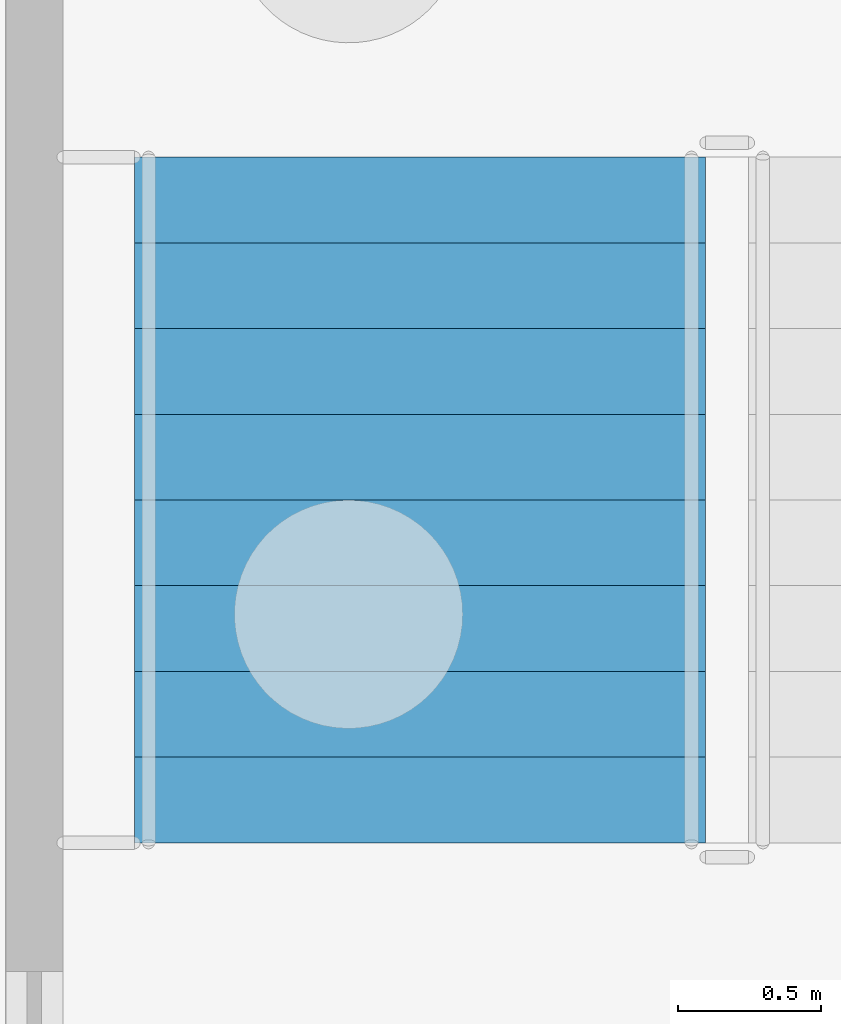
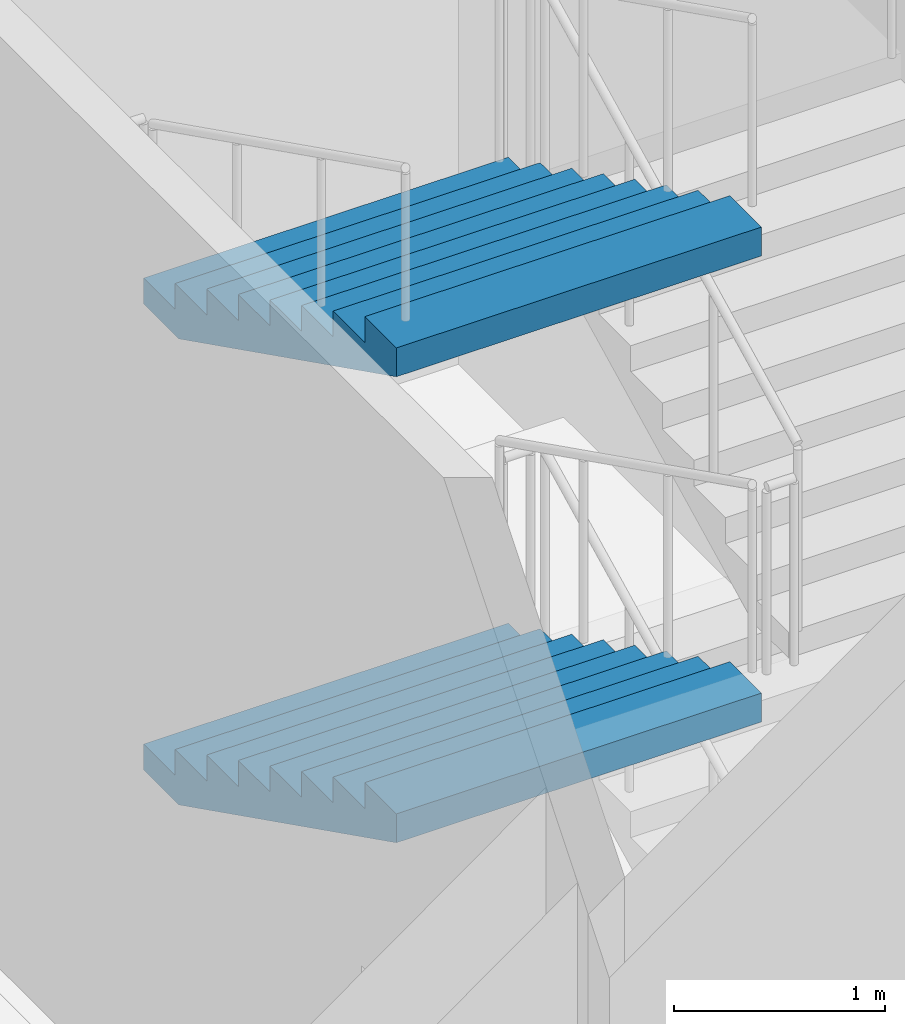
# One storey, part 82 of 129: 2 stair flights, 1 element without a shape of its own.
"""IFC4 building model written with IfcOpenShell, lengths in metres."""

import ifcopenshell
import ifcopenshell.guid

model = None  # the IFC model being written
_history = None  # IfcOwnerHistory: only IFC2X3 demands one
_inside = {}  # id of a spatial element -> (the spatial element, [elements in it])
_under = {}  # id of a project, library or spatial element -> (it, [spatial elements below it])
_declared = {}  # id of a project -> (the project, [libraries it declares])
_typed = {}  # id of a type object -> (the type object, [elements of that type])
_made_of = {}  # id of a material, layer set ... -> (it, [elements and type objects made of it])


def new_model(schema):
    """Start an empty IFC model of exactly this schema.

    Asked for "IFC4X3", IfcOpenShell would pick the latest addendum, in which some entities
    have other attributes; the version numbers below select the first issue.
    IFC2X3 requires an IfcOwnerHistory on every rooted entity: one is made here for all.
    """
    global model, _history
    if schema == "IFC4X3":
        model = ifcopenshell.file(schema_version=(4, 3, 0, 0))
    else:
        model = ifcopenshell.file(schema=schema)
    _inside.clear()
    _under.clear()
    _declared.clear()
    _typed.clear()
    _made_of.clear()
    _history = None
    if model.schema == "IFC2X3":
        org = make("IfcOrganization", Name="unknown")
        user = make(
            "IfcPersonAndOrganization",
            ThePerson=make("IfcPerson", FamilyName="unknown"),
            TheOrganization=org,
        )
        app = make(
            "IfcApplication",
            ApplicationDeveloper=org,
            Version="unknown",
            ApplicationFullName="unknown",
            ApplicationIdentifier="unknown",
        )
        _history = make(
            "IfcOwnerHistory",
            OwningUser=user,
            OwningApplication=app,
            ChangeAction="ADDED",
            CreationDate=0,
        )
    return model


def make(cls, **values):
    """One entity of the class cls with the attributes given. An attribute that is None is left unset."""
    return model.create_entity(
        cls, **{name: value for name, value in values.items() if value is not None}
    )


def rooted(cls, **values):
    """An entity with a GlobalId (a new one), such as an element, a storey or a relation."""
    return make(cls, GlobalId=ifcopenshell.guid.new(), OwnerHistory=_history, **values)


def si_unit(unit_type, name, prefix=None):
    """IfcSIUnit, for example si_unit("LENGTHUNIT", "METRE", prefix="MILLI")."""
    return make("IfcSIUnit", UnitType=unit_type, Prefix=prefix, Name=name)


def assignment(units):
    """IfcUnitAssignment: the units of a project."""
    return None if units is None else make("IfcUnitAssignment", Units=units)


def point(xyz):
    """IfcCartesianPoint."""
    return None if xyz is None else make("IfcCartesianPoint", Coordinates=xyz)


def direction(xyz):
    """IfcDirection."""
    return None if xyz is None else make("IfcDirection", DirectionRatios=xyz)


def frame(location, z_axis=None, x_axis=None):
    """IfcAxis2Placement3D, a coordinate frame: its origin and axes. An axis left out is left unset."""
    return make(
        "IfcAxis2Placement3D",
        Location=point(location),
        Axis=direction(z_axis),
        RefDirection=direction(x_axis),
    )


def origin():
    """The frame at (0, 0, 0) with its axes left unset."""
    return frame((0.0, 0.0, 0.0))


def place(relative_to, where):
    """IfcLocalPlacement: puts the frame where relative to a parent placement (None: the world)."""
    return make(
        "IfcLocalPlacement", PlacementRelTo=relative_to, RelativePlacement=where
    )


def context(
    kind, dimensions, precision=None, world=None, true_north=None, identifier=None
):
    """IfcGeometricRepresentationContext, for example the 3D "Model" context."""
    return make(
        "IfcGeometricRepresentationContext",
        ContextIdentifier=identifier,
        ContextType=kind,
        CoordinateSpaceDimension=dimensions,
        Precision=precision,
        WorldCoordinateSystem=world,
        TrueNorth=true_north,
    )


def subcontext(parent, identifier, kind, view, scale=None):
    """IfcGeometricRepresentationSubContext, for example "Body" below "Model"."""
    return make(
        "IfcGeometricRepresentationSubContext",
        ContextIdentifier=identifier,
        ContextType=kind,
        ParentContext=parent,
        TargetScale=scale,
        TargetView=view,
    )


def project(units=None, contexts=None):
    """IfcProject with its units and contexts."""
    return rooted(
        "IfcProject",
        Name="project",
        RepresentationContexts=contexts,
        UnitsInContext=assignment(units),
    )


def spatial(cls, under=None, at=None, **own):
    """A site, building, storey or space (cls), placed at a placement, below another one or the project."""
    s = rooted(cls, ObjectPlacement=at, **own)
    if under is not None:
        _under.setdefault(under.id(), (under, []))[1].append(s)
    return s


def faces_of(points, faces, orient=None, outer=None):
    """IfcFace entities. A face is a list of loops; a loop is a list of indices into points, from 0.

    orient and outer hold one flag for each loop. By default every Orientation is true, the
    first loop of a face is its IfcFaceOuterBound and the others are IfcFaceBound.
    """
    made = []
    for i, loops in enumerate(faces):
        bounds = []
        for j, loop in enumerate(loops):
            is_outer = j == 0 if outer is None else outer[i][j]
            bounds.append(
                make(
                    "IfcFaceOuterBound" if is_outer else "IfcFaceBound",
                    Bound=make("IfcPolyLoop", Polygon=[points[k] for k in loop]),
                    Orientation=True if orient is None else orient[i][j],
                )
            )
        made.append(make("IfcFace", Bounds=bounds))
    return made


def faceted_brep(points, faces, orient=None, outer=None, voids=None):
    """IfcFacetedBrep: a solid bounded by flat faces; with voids (closed shells), ...WithVoids."""
    shared = [point(p) for p in points]
    hull = make("IfcClosedShell", CfsFaces=faces_of(shared, faces, orient, outer))
    if voids is None:
        return make("IfcFacetedBrep", Outer=hull)
    return make(
        "IfcFacetedBrepWithVoids",
        Outer=hull,
        Voids=[
            make(cls, CfsFaces=faces_of(shared, fs, o, b)) for cls, fs, o, b in voids
        ],
    )


def shape(context_of_items, identifier, shape_type, items):
    """IfcShapeRepresentation: the items that make up one representation, for example the "Body"."""
    return make(
        "IfcShapeRepresentation",
        ContextOfItems=context_of_items,
        RepresentationIdentifier=identifier,
        RepresentationType=shape_type,
        Items=items,
    )


def material(Name=None, Category=None):
    """IfcMaterial."""
    return make("IfcMaterial", Name=Name, Category=Category)


def made_of(thing, what):
    """Note that an element or type object is made of a material, layer set ...; save() writes the relation."""
    if what is not None:
        _made_of.setdefault(what.id(), (what, []))[1].append(thing)
    return thing


def type_object(cls, material=None, **own):
    """A type object (cls), such as IfcWallType, which elements share."""
    return made_of(rooted(cls, **own), material)


def element(
    cls,
    number,
    at=None,
    inside=None,
    cuts=None,
    type_object=None,
    material=None,
    context=None,
    identifier="Body",
    shape_type=None,
    held_by="IfcProductDefinitionShape",
    body=None,
    shapes=None,
    **own,
):
    """One element of the class cls, such as IfcWall. Its Tag is "e" and its number.

    at: its placement. inside: the storey or other place that contains it. cuts: it is an
    opening in that element (IfcRelVoidsElement). A single representation is given by context,
    identifier, shape_type and body (its items); several are given by shapes. held_by: the class
    of the entity that holds the representations. save() writes the other relations.
    """
    e = rooted(cls, Tag="e%d" % number, ObjectPlacement=at, **own)
    if body is not None:
        shapes = [shape(context, identifier, shape_type, body)]
    if shapes is not None:
        e.Representation = make(held_by, Representations=shapes)
    if inside is not None:
        _inside.setdefault(inside.id(), (inside, []))[1].append(e)
    if cuts is not None:
        rooted(
            "IfcRelVoidsElement", RelatingBuildingElement=cuts, RelatedOpeningElement=e
        )
    if type_object is not None:
        _typed.setdefault(type_object.id(), (type_object, []))[1].append(e)
    return made_of(e, material)


def aggregate(whole, parts):
    """IfcRelAggregates: a whole, such as a stair, and the parts it consists of."""
    return rooted("IfcRelAggregates", RelatingObject=whole, RelatedObjects=parts)


def save(model, path):
    """Write the relations noted so far, then the file.

    IfcRelAggregates (storeys below a building ...), IfcRelContainedInSpatialStructure (elements
    in a storey), IfcRelDefinesByType, IfcRelAssociatesMaterial and IfcRelDeclares: one each for
    every whole, place, type object, material and project.
    """
    for whole, parts in _under.values():
        aggregate(whole, parts)
    for where, things in _inside.values():
        rooted(
            "IfcRelContainedInSpatialStructure",
            RelatedElements=things,
            RelatingStructure=where,
        )
    for kind, things in _typed.values():
        rooted("IfcRelDefinesByType", RelatedObjects=things, RelatingType=kind)
    for what, things in _made_of.values():
        rooted("IfcRelAssociatesMaterial", RelatedObjects=things, RelatingMaterial=what)
    for by, libraries in _declared.values():
        rooted("IfcRelDeclares", RelatingContext=by, RelatedDefinitions=libraries)
    model.write(path)


model = new_model("IFC4")

# Units and contexts
model_context = context("Model", 3, precision=1e-05, world=origin(), true_north=direction((0.0, 1.0)))
body_context = subcontext(model_context, "Body", "Model", "MODEL_VIEW")
ifc_project = project(units=[si_unit("LENGTHUNIT", "METRE"), si_unit("AREAUNIT", "SQUARE_METRE"), si_unit("VOLUMEUNIT", "CUBIC_METRE"), si_unit("PLANEANGLEUNIT", "RADIAN"), si_unit("MASSUNIT", "GRAM", prefix="KILO")], contexts=[model_context])

# Site, building, storey
site_placement = place(None, origin())
site = spatial("IfcSite", under=ifc_project, at=site_placement, CompositionType="ELEMENT")
building_placement = place(site_placement, origin())
building = spatial("IfcBuilding", under=site, at=building_placement, Name="Kiln Court Media Centre", CompositionType="ELEMENT")
storey_placement = place(building_placement, origin())
storey = spatial("IfcBuildingStorey", under=building, at=storey_placement, Name="L00", CompositionType="ELEMENT", Elevation=0.0)

# Stair, stair flights
ifc_material_1 = material(Name="Concrete C40/50", Category="concrete")
stair_type = type_object("IfcStairType", Name="Concrete C40/50 dog-leg stair 2000 wide, 150 riser", PredefinedType="HALF_TURN_STAIR", material=ifc_material_1)
stair_placement = place(storey_placement, origin())
stair = element("IfcStair", 1, at=stair_placement, inside=storey, type_object=stair_type, Name="ST-10 L00", PredefinedType="HALF_TURN_STAIR")
ifc_material_2 = material(Name="Concrete C40/50", Category="concrete")
stair_flight_type = type_object("IfcStairFlightType", Name="Concrete C40/50 stair flight 2000 wide, 150 riser, 300 going", PredefinedType="STRAIGHT", material=ifc_material_2)
stair_flight_1_placement = place(storey_placement, frame((97.449951171875, 30.39990234375, 1.35009765625), z_axis=(0.0, 0.0, 1.0), x_axis=(0.0, -1.0, 0.0)))
stair_flight_1 = element("IfcStairFlight", 2, at=stair_flight_1_placement, type_object=stair_flight_type, Name="L00-ST-5009 flight 5037", NumberOfRisers=9, NumberOfTreads=8, PredefinedType="STRAIGHT", RiserHeight=0.15, TreadLength=0.3, context=body_context, shape_type="Brep", body=[
    faceted_brep([(0.335205078125, -1.0, 0.0), (2.39990234375, -1.0, 1.032470703125), (2.39990234375, -1.0, 1.199951171875), (2.10009765625, -1.0, 1.199951171875), (2.10009765625, -1.0, 1.050048828125), (1.800048828125, -1.0, 1.050048828125), (1.800048828125, -1.0, 0.89990234375), (1.5, -1.0, 0.89990234375), (1.5, -1.0, 0.75), (1.199951171875, -1.0, 0.75), (1.199951171875, -1.0, 0.60009765625), (0.89990234375, -1.0, 0.60009765625), (0.89990234375, -1.0, 0.449951171875), (0.60009765625, -1.0, 0.449951171875), (0.60009765625, -1.0, 0.300048828125), (0.300048828125, -1.0, 0.300048828125), (0.300048828125, -1.0, 0.14990234375), (0.0, -1.0, 0.14990234375), (0.0, -1.0, 0.0), (0.0, 1.0, 0.0), (0.0, 1.0, 0.14990234375), (0.300048828125, 1.0, 0.14990234375), (0.300048828125, 1.0, 0.300048828125), (0.60009765625, 1.0, 0.300048828125), (0.60009765625, 1.0, 0.449951171875), (0.89990234375, 1.0, 0.449951171875), (0.89990234375, 1.0, 0.60009765625), (1.199951171875, 1.0, 0.60009765625), (1.199951171875, 1.0, 0.75), (1.5, 1.0, 0.75), (1.5, 1.0, 0.89990234375), (1.800048828125, 1.0, 0.89990234375), (1.800048828125, 1.0, 1.050048828125), (2.10009765625, 1.0, 1.050048828125), (2.10009765625, 1.0, 1.199951171875), (2.39990234375, 1.0, 1.199951171875), (2.39990234375, 1.0, 1.032470703125), (0.335205078125, 1.0, 0.0), (2.39990234375, 0.10009765625, 1.032470703125), (0.335205078125, 0.10009765625, 0.0), (2.39990234375, 0.080078125, 1.032470703125), (0.335205078125, 0.080078125, 0.0), (2.39990234375, 0.06005859375, 1.032470703125), (0.335205078125, 0.06005859375, 0.0), (2.39990234375, 0.0400390625, 1.032470703125), (0.335205078125, 0.0400390625, 0.0), (2.39990234375, 0.02001953125, 1.032470703125), (0.335205078125, 0.02001953125, 0.0), (2.39990234375, 0.0, 1.032470703125), (0.335205078125, 0.0, 0.0), (2.39990234375, -0.02001953125, 1.032470703125), (0.335205078125, -0.02001953125, 0.0), (2.39990234375, -0.0400390625, 1.032470703125), (0.335205078125, -0.0400390625, 0.0), (2.39990234375, -0.06005859375, 1.032470703125), (0.335205078125, -0.06005859375, 0.0), (2.39990234375, -0.080078125, 1.032470703125), (0.335205078125, -0.080078125, 0.0), (2.39990234375, -0.10009765625, 1.032470703125), (0.335205078125, -0.10009765625, 0.0), (2.39990234375, 0.10009765625, 1.199951171875), (2.39990234375, 0.080078125, 1.199951171875), (2.39990234375, 0.06005859375, 1.199951171875), (2.39990234375, 0.0400390625, 1.199951171875), (2.39990234375, 0.02001953125, 1.199951171875), (2.39990234375, 0.0, 1.199951171875), (2.39990234375, -0.02001953125, 1.199951171875), (2.39990234375, -0.0400390625, 1.199951171875), (2.39990234375, -0.06005859375, 1.199951171875), (2.39990234375, -0.080078125, 1.199951171875), (2.39990234375, -0.10009765625, 1.199951171875), (2.10009765625, 0.10009765625, 1.199951171875), (2.10009765625, 0.080078125, 1.199951171875), (2.10009765625, 0.06005859375, 1.199951171875), (2.10009765625, 0.0400390625, 1.199951171875), (2.10009765625, 0.02001953125, 1.199951171875), (2.10009765625, 0.0, 1.199951171875), (2.10009765625, -0.02001953125, 1.199951171875), (2.10009765625, -0.0400390625, 1.199951171875), (2.10009765625, -0.06005859375, 1.199951171875), (2.10009765625, -0.080078125, 1.199951171875), (2.10009765625, -0.10009765625, 1.199951171875), (2.10009765625, 0.10009765625, 1.050048828125), (2.10009765625, 0.080078125, 1.050048828125), (2.10009765625, 0.06005859375, 1.050048828125), (2.10009765625, 0.0400390625, 1.050048828125), (2.10009765625, 0.02001953125, 1.050048828125), (2.10009765625, 0.0, 1.050048828125), (2.10009765625, -0.02001953125, 1.050048828125), (2.10009765625, -0.0400390625, 1.050048828125), (2.10009765625, -0.06005859375, 1.050048828125), (2.10009765625, -0.080078125, 1.050048828125), (2.10009765625, -0.10009765625, 1.050048828125), (1.800048828125, 0.10009765625, 1.050048828125), (1.800048828125, 0.080078125, 1.050048828125), (1.800048828125, 0.06005859375, 1.050048828125), (1.800048828125, 0.0400390625, 1.050048828125), (1.800048828125, 0.02001953125, 1.050048828125), (1.800048828125, 0.0, 1.050048828125), (1.800048828125, -0.02001953125, 1.050048828125), (1.800048828125, -0.0400390625, 1.050048828125), (1.800048828125, -0.06005859375, 1.050048828125), (1.800048828125, -0.080078125, 1.050048828125), (1.800048828125, -0.10009765625, 1.050048828125), (1.800048828125, 0.10009765625, 0.89990234375), (1.800048828125, 0.080078125, 0.89990234375), (1.800048828125, 0.06005859375, 0.89990234375), (1.800048828125, 0.0400390625, 0.89990234375), (1.800048828125, 0.02001953125, 0.89990234375), (1.800048828125, 0.0, 0.89990234375), (1.800048828125, -0.02001953125, 0.89990234375), (1.800048828125, -0.0400390625, 0.89990234375), (1.800048828125, -0.06005859375, 0.89990234375), (1.800048828125, -0.080078125, 0.89990234375), (1.800048828125, -0.10009765625, 0.89990234375), (1.5, 0.10009765625, 0.89990234375), (1.5, 0.080078125, 0.89990234375), (1.5, 0.06005859375, 0.89990234375), (1.5, 0.0400390625, 0.89990234375), (1.5, 0.02001953125, 0.89990234375), (1.5, 0.0, 0.89990234375), (1.5, -0.02001953125, 0.89990234375), (1.5, -0.0400390625, 0.89990234375), (1.5, -0.06005859375, 0.89990234375), (1.5, -0.080078125, 0.89990234375), (1.5, -0.10009765625, 0.89990234375), (1.5, 0.10009765625, 0.75), (1.5, 0.080078125, 0.75), (1.5, 0.06005859375, 0.75), (1.5, 0.0400390625, 0.75), (1.5, 0.02001953125, 0.75), (1.5, 0.0, 0.75), (1.5, -0.02001953125, 0.75), (1.5, -0.0400390625, 0.75), (1.5, -0.06005859375, 0.75), (1.5, -0.080078125, 0.75), (1.5, -0.10009765625, 0.75), (1.199951171875, 0.10009765625, 0.75), (1.199951171875, 0.080078125, 0.75), (1.199951171875, 0.06005859375, 0.75), (1.199951171875, 0.0400390625, 0.75), (1.199951171875, 0.02001953125, 0.75), (1.199951171875, 0.0, 0.75), (1.199951171875, -0.02001953125, 0.75), (1.199951171875, -0.0400390625, 0.75), (1.199951171875, -0.06005859375, 0.75), (1.199951171875, -0.080078125, 0.75), (1.199951171875, -0.10009765625, 0.75), (1.199951171875, 0.10009765625, 0.60009765625), (1.199951171875, 0.080078125, 0.60009765625), (1.199951171875, 0.06005859375, 0.60009765625), (1.199951171875, 0.0400390625, 0.60009765625), (1.199951171875, 0.02001953125, 0.60009765625), (1.199951171875, 0.0, 0.60009765625), (1.199951171875, -0.02001953125, 0.60009765625), (1.199951171875, -0.0400390625, 0.60009765625), (1.199951171875, -0.06005859375, 0.60009765625), (1.199951171875, -0.080078125, 0.60009765625), (1.199951171875, -0.10009765625, 0.60009765625), (0.89990234375, 0.10009765625, 0.60009765625), (0.89990234375, 0.080078125, 0.60009765625), (0.89990234375, 0.06005859375, 0.60009765625), (0.89990234375, 0.0400390625, 0.60009765625), (0.89990234375, 0.02001953125, 0.60009765625), (0.89990234375, 0.0, 0.60009765625), (0.89990234375, -0.02001953125, 0.60009765625), (0.89990234375, -0.0400390625, 0.60009765625), (0.89990234375, -0.06005859375, 0.60009765625), (0.89990234375, -0.080078125, 0.60009765625), (0.89990234375, -0.10009765625, 0.60009765625), (0.89990234375, 0.10009765625, 0.449951171875), (0.89990234375, 0.080078125, 0.449951171875), (0.89990234375, 0.06005859375, 0.449951171875), (0.89990234375, 0.0400390625, 0.449951171875), (0.89990234375, 0.02001953125, 0.449951171875), (0.89990234375, 0.0, 0.449951171875), (0.89990234375, -0.02001953125, 0.449951171875), (0.89990234375, -0.0400390625, 0.449951171875), (0.89990234375, -0.06005859375, 0.449951171875), (0.89990234375, -0.080078125, 0.449951171875), (0.89990234375, -0.10009765625, 0.449951171875), (0.60009765625, 0.10009765625, 0.449951171875), (0.60009765625, 0.080078125, 0.449951171875), (0.60009765625, 0.06005859375, 0.449951171875), (0.60009765625, 0.0400390625, 0.449951171875), (0.60009765625, 0.02001953125, 0.449951171875), (0.60009765625, 0.0, 0.449951171875), (0.60009765625, -0.02001953125, 0.449951171875), (0.60009765625, -0.0400390625, 0.449951171875), (0.60009765625, -0.06005859375, 0.449951171875), (0.60009765625, -0.080078125, 0.449951171875), (0.60009765625, -0.10009765625, 0.449951171875), (0.60009765625, 0.10009765625, 0.300048828125), (0.60009765625, 0.080078125, 0.300048828125), (0.60009765625, 0.06005859375, 0.300048828125), (0.60009765625, 0.0400390625, 0.300048828125), (0.60009765625, 0.02001953125, 0.300048828125), (0.60009765625, 0.0, 0.300048828125), (0.60009765625, -0.02001953125, 0.300048828125), (0.60009765625, -0.0400390625, 0.300048828125), (0.60009765625, -0.06005859375, 0.300048828125), (0.60009765625, -0.080078125, 0.300048828125), (0.60009765625, -0.10009765625, 0.300048828125), (0.300048828125, 0.10009765625, 0.300048828125), (0.300048828125, 0.080078125, 0.300048828125), (0.300048828125, 0.06005859375, 0.300048828125), (0.300048828125, 0.0400390625, 0.300048828125), (0.300048828125, 0.02001953125, 0.300048828125), (0.300048828125, 0.0, 0.300048828125), (0.300048828125, -0.02001953125, 0.300048828125), (0.300048828125, -0.0400390625, 0.300048828125), (0.300048828125, -0.06005859375, 0.300048828125), (0.300048828125, -0.080078125, 0.300048828125), (0.300048828125, -0.10009765625, 0.300048828125), (0.300048828125, 0.10009765625, 0.14990234375), (0.300048828125, 0.080078125, 0.14990234375), (0.300048828125, 0.06005859375, 0.14990234375), (0.300048828125, 0.0400390625, 0.14990234375), (0.300048828125, 0.02001953125, 0.14990234375), (0.300048828125, 0.0, 0.14990234375), (0.300048828125, -0.02001953125, 0.14990234375), (0.300048828125, -0.0400390625, 0.14990234375), (0.300048828125, -0.06005859375, 0.14990234375), (0.300048828125, -0.080078125, 0.14990234375), (0.300048828125, -0.10009765625, 0.14990234375), (0.0, 0.10009765625, 0.14990234375), (0.0, 0.080078125, 0.14990234375), (0.0, 0.06005859375, 0.14990234375), (0.0, 0.0400390625, 0.14990234375), (0.0, 0.02001953125, 0.14990234375), (0.0, 0.0, 0.14990234375), (0.0, -0.02001953125, 0.14990234375), (0.0, -0.0400390625, 0.14990234375), (0.0, -0.06005859375, 0.14990234375), (0.0, -0.080078125, 0.14990234375), (0.0, -0.10009765625, 0.14990234375), (0.0, 0.10009765625, 0.0), (0.0, 0.080078125, 0.0), (0.0, 0.06005859375, 0.0), (0.0, 0.0400390625, 0.0), (0.0, 0.02001953125, 0.0), (0.0, 0.0, 0.0), (0.0, -0.02001953125, 0.0), (0.0, -0.0400390625, 0.0), (0.0, -0.06005859375, 0.0), (0.0, -0.080078125, 0.0), (0.0, -0.10009765625, 0.0)], [[[0, 1, 2, 3, 4, 5, 6, 7, 8, 9, 10, 11, 12, 13, 14, 15, 16, 17, 18]], [[19, 20, 21, 22, 23, 24, 25, 26, 27, 28, 29, 30, 31, 32, 33, 34, 35, 36, 37]], [[37, 36, 38, 39]], [[39, 38, 40, 41]], [[41, 40, 42, 43]], [[43, 42, 44, 45]], [[45, 44, 46, 47]], [[47, 46, 48, 49]], [[49, 48, 50, 51]], [[51, 50, 52, 53]], [[53, 52, 54, 55]], [[55, 54, 56, 57]], [[57, 56, 58, 59]], [[59, 58, 1, 0]], [[36, 35, 60, 38]], [[38, 60, 61, 40]], [[40, 61, 62, 42]], [[42, 62, 63, 44]], [[44, 63, 64, 46]], [[46, 64, 65, 48]], [[48, 65, 66, 50]], [[50, 66, 67, 52]], [[52, 67, 68, 54]], [[54, 68, 69, 56]], [[56, 69, 70, 58]], [[58, 70, 2, 1]], [[35, 34, 71, 60]], [[60, 71, 72, 61]], [[61, 72, 73, 62]], [[62, 73, 74, 63]], [[63, 74, 75, 64]], [[64, 75, 76, 65]], [[65, 76, 77, 66]], [[66, 77, 78, 67]], [[67, 78, 79, 68]], [[68, 79, 80, 69]], [[69, 80, 81, 70]], [[70, 81, 3, 2]], [[34, 33, 82, 71]], [[71, 82, 83, 72]], [[72, 83, 84, 73]], [[73, 84, 85, 74]], [[74, 85, 86, 75]], [[75, 86, 87, 76]], [[76, 87, 88, 77]], [[77, 88, 89, 78]], [[78, 89, 90, 79]], [[79, 90, 91, 80]], [[80, 91, 92, 81]], [[81, 92, 4, 3]], [[33, 32, 93, 82]], [[82, 93, 94, 83]], [[83, 94, 95, 84]], [[84, 95, 96, 85]], [[85, 96, 97, 86]], [[86, 97, 98, 87]], [[87, 98, 99, 88]], [[88, 99, 100, 89]], [[89, 100, 101, 90]], [[90, 101, 102, 91]], [[91, 102, 103, 92]], [[92, 103, 5, 4]], [[32, 31, 104, 93]], [[93, 104, 105, 94]], [[94, 105, 106, 95]], [[95, 106, 107, 96]], [[96, 107, 108, 97]], [[97, 108, 109, 98]], [[98, 109, 110, 99]], [[99, 110, 111, 100]], [[100, 111, 112, 101]], [[101, 112, 113, 102]], [[102, 113, 114, 103]], [[103, 114, 6, 5]], [[31, 30, 115, 104]], [[104, 115, 116, 105]], [[105, 116, 117, 106]], [[106, 117, 118, 107]], [[107, 118, 119, 108]], [[108, 119, 120, 109]], [[109, 120, 121, 110]], [[110, 121, 122, 111]], [[111, 122, 123, 112]], [[112, 123, 124, 113]], [[113, 124, 125, 114]], [[114, 125, 7, 6]], [[30, 29, 126, 115]], [[115, 126, 127, 116]], [[116, 127, 128, 117]], [[117, 128, 129, 118]], [[118, 129, 130, 119]], [[119, 130, 131, 120]], [[120, 131, 132, 121]], [[121, 132, 133, 122]], [[122, 133, 134, 123]], [[123, 134, 135, 124]], [[124, 135, 136, 125]], [[125, 136, 8, 7]], [[29, 28, 137, 126]], [[126, 137, 138, 127]], [[127, 138, 139, 128]], [[128, 139, 140, 129]], [[129, 140, 141, 130]], [[130, 141, 142, 131]], [[131, 142, 143, 132]], [[132, 143, 144, 133]], [[133, 144, 145, 134]], [[134, 145, 146, 135]], [[135, 146, 147, 136]], [[136, 147, 9, 8]], [[28, 27, 148, 137]], [[137, 148, 149, 138]], [[138, 149, 150, 139]], [[139, 150, 151, 140]], [[140, 151, 152, 141]], [[141, 152, 153, 142]], [[142, 153, 154, 143]], [[143, 154, 155, 144]], [[144, 155, 156, 145]], [[145, 156, 157, 146]], [[146, 157, 158, 147]], [[147, 158, 10, 9]], [[27, 26, 159, 148]], [[148, 159, 160, 149]], [[149, 160, 161, 150]], [[150, 161, 162, 151]], [[151, 162, 163, 152]], [[152, 163, 164, 153]], [[153, 164, 165, 154]], [[154, 165, 166, 155]], [[155, 166, 167, 156]], [[156, 167, 168, 157]], [[157, 168, 169, 158]], [[158, 169, 11, 10]], [[26, 25, 170, 159]], [[159, 170, 171, 160]], [[160, 171, 172, 161]], [[161, 172, 173, 162]], [[162, 173, 174, 163]], [[163, 174, 175, 164]], [[164, 175, 176, 165]], [[165, 176, 177, 166]], [[166, 177, 178, 167]], [[167, 178, 179, 168]], [[168, 179, 180, 169]], [[169, 180, 12, 11]], [[25, 24, 181, 170]], [[170, 181, 182, 171]], [[171, 182, 183, 172]], [[172, 183, 184, 173]], [[173, 184, 185, 174]], [[174, 185, 186, 175]], [[175, 186, 187, 176]], [[176, 187, 188, 177]], [[177, 188, 189, 178]], [[178, 189, 190, 179]], [[179, 190, 191, 180]], [[180, 191, 13, 12]], [[24, 23, 192, 181]], [[181, 192, 193, 182]], [[182, 193, 194, 183]], [[183, 194, 195, 184]], [[184, 195, 196, 185]], [[185, 196, 197, 186]], [[186, 197, 198, 187]], [[187, 198, 199, 188]], [[188, 199, 200, 189]], [[189, 200, 201, 190]], [[190, 201, 202, 191]], [[191, 202, 14, 13]], [[23, 22, 203, 192]], [[192, 203, 204, 193]], [[193, 204, 205, 194]], [[194, 205, 206, 195]], [[195, 206, 207, 196]], [[196, 207, 208, 197]], [[197, 208, 209, 198]], [[198, 209, 210, 199]], [[199, 210, 211, 200]], [[200, 211, 212, 201]], [[201, 212, 213, 202]], [[202, 213, 15, 14]], [[22, 21, 214, 203]], [[203, 214, 215, 204]], [[204, 215, 216, 205]], [[205, 216, 217, 206]], [[206, 217, 218, 207]], [[207, 218, 219, 208]], [[208, 219, 220, 209]], [[209, 220, 221, 210]], [[210, 221, 222, 211]], [[211, 222, 223, 212]], [[212, 223, 224, 213]], [[213, 224, 16, 15]], [[21, 20, 225, 214]], [[214, 225, 226, 215]], [[215, 226, 227, 216]], [[216, 227, 228, 217]], [[217, 228, 229, 218]], [[218, 229, 230, 219]], [[219, 230, 231, 220]], [[220, 231, 232, 221]], [[221, 232, 233, 222]], [[222, 233, 234, 223]], [[223, 234, 235, 224]], [[224, 235, 17, 16]], [[20, 19, 236, 225]], [[225, 236, 237, 226]], [[226, 237, 238, 227]], [[227, 238, 239, 228]], [[228, 239, 240, 229]], [[229, 240, 241, 230]], [[230, 241, 242, 231]], [[231, 242, 243, 232]], [[232, 243, 244, 233]], [[233, 244, 245, 234]], [[234, 245, 246, 235]], [[235, 246, 18, 17]], [[19, 37, 39, 236]], [[236, 39, 41, 237]], [[237, 41, 43, 238]], [[238, 43, 45, 239]], [[239, 45, 47, 240]], [[240, 47, 49, 241]], [[241, 49, 51, 242]], [[242, 51, 53, 243]], [[243, 53, 55, 244]], [[244, 55, 57, 245]], [[245, 57, 59, 246]], [[246, 59, 0, 18]]]),
])
stair_flight_2_placement = place(storey_placement, frame((97.449951171875, 30.39990234375, 4.050048828125), z_axis=(0.0, 0.0, 1.0), x_axis=(0.0, -1.0, 0.0)))
stair_flight_2 = element("IfcStairFlight", 3, at=stair_flight_2_placement, type_object=stair_flight_type, Name="L00-ST-5009 flight 5039", NumberOfRisers=9, NumberOfTreads=8, PredefinedType="STRAIGHT", RiserHeight=0.15, TreadLength=0.3, context=body_context, shape_type="Brep", body=[
    faceted_brep([(0.335205078125, -1.0, 0.0), (2.39990234375, -1.0, 1.032470703125), (2.39990234375, -1.0, 1.199951171875), (2.10009765625, -1.0, 1.199951171875), (2.10009765625, -1.0, 1.050048828125), (1.800048828125, -1.0, 1.050048828125), (1.800048828125, -1.0, 0.89990234375), (1.5, -1.0, 0.89990234375), (1.5, -1.0, 0.75), (1.199951171875, -1.0, 0.75), (1.199951171875, -1.0, 0.60009765625), (0.89990234375, -1.0, 0.60009765625), (0.89990234375, -1.0, 0.449951171875), (0.60009765625, -1.0, 0.449951171875), (0.60009765625, -1.0, 0.300048828125), (0.300048828125, -1.0, 0.300048828125), (0.300048828125, -1.0, 0.14990234375), (0.0, -1.0, 0.14990234375), (0.0, -1.0, 0.0), (0.0, 1.0, 0.0), (0.0, 1.0, 0.14990234375), (0.300048828125, 1.0, 0.14990234375), (0.300048828125, 1.0, 0.300048828125), (0.60009765625, 1.0, 0.300048828125), (0.60009765625, 1.0, 0.449951171875), (0.89990234375, 1.0, 0.449951171875), (0.89990234375, 1.0, 0.60009765625), (1.199951171875, 1.0, 0.60009765625), (1.199951171875, 1.0, 0.75), (1.5, 1.0, 0.75), (1.5, 1.0, 0.89990234375), (1.800048828125, 1.0, 0.89990234375), (1.800048828125, 1.0, 1.050048828125), (2.10009765625, 1.0, 1.050048828125), (2.10009765625, 1.0, 1.199951171875), (2.39990234375, 1.0, 1.199951171875), (2.39990234375, 1.0, 1.032470703125), (0.335205078125, 1.0, 0.0), (2.39990234375, 0.10009765625, 1.032470703125), (0.335205078125, 0.10009765625, 0.0), (2.39990234375, 0.080078125, 1.032470703125), (0.335205078125, 0.080078125, 0.0), (2.39990234375, 0.06005859375, 1.032470703125), (0.335205078125, 0.06005859375, 0.0), (2.39990234375, 0.0400390625, 1.032470703125), (0.335205078125, 0.0400390625, 0.0), (2.39990234375, 0.02001953125, 1.032470703125), (0.335205078125, 0.02001953125, 0.0), (2.39990234375, 0.0, 1.032470703125), (0.335205078125, 0.0, 0.0), (2.39990234375, -0.02001953125, 1.032470703125), (0.335205078125, -0.02001953125, 0.0), (2.39990234375, -0.0400390625, 1.032470703125), (0.335205078125, -0.0400390625, 0.0), (2.39990234375, -0.06005859375, 1.032470703125), (0.335205078125, -0.06005859375, 0.0), (2.39990234375, -0.080078125, 1.032470703125), (0.335205078125, -0.080078125, 0.0), (2.39990234375, -0.10009765625, 1.032470703125), (0.335205078125, -0.10009765625, 0.0), (2.39990234375, 0.10009765625, 1.199951171875), (2.39990234375, 0.080078125, 1.199951171875), (2.39990234375, 0.06005859375, 1.199951171875), (2.39990234375, 0.0400390625, 1.199951171875), (2.39990234375, 0.02001953125, 1.199951171875), (2.39990234375, 0.0, 1.199951171875), (2.39990234375, -0.02001953125, 1.199951171875), (2.39990234375, -0.0400390625, 1.199951171875), (2.39990234375, -0.06005859375, 1.199951171875), (2.39990234375, -0.080078125, 1.199951171875), (2.39990234375, -0.10009765625, 1.199951171875), (2.10009765625, 0.10009765625, 1.199951171875), (2.10009765625, 0.080078125, 1.199951171875), (2.10009765625, 0.06005859375, 1.199951171875), (2.10009765625, 0.0400390625, 1.199951171875), (2.10009765625, 0.02001953125, 1.199951171875), (2.10009765625, 0.0, 1.199951171875), (2.10009765625, -0.02001953125, 1.199951171875), (2.10009765625, -0.0400390625, 1.199951171875), (2.10009765625, -0.06005859375, 1.199951171875), (2.10009765625, -0.080078125, 1.199951171875), (2.10009765625, -0.10009765625, 1.199951171875), (2.10009765625, 0.10009765625, 1.050048828125), (2.10009765625, 0.080078125, 1.050048828125), (2.10009765625, 0.06005859375, 1.050048828125), (2.10009765625, 0.0400390625, 1.050048828125), (2.10009765625, 0.02001953125, 1.050048828125), (2.10009765625, 0.0, 1.050048828125), (2.10009765625, -0.02001953125, 1.050048828125), (2.10009765625, -0.0400390625, 1.050048828125), (2.10009765625, -0.06005859375, 1.050048828125), (2.10009765625, -0.080078125, 1.050048828125), (2.10009765625, -0.10009765625, 1.050048828125), (1.800048828125, 0.10009765625, 1.050048828125), (1.800048828125, 0.080078125, 1.050048828125), (1.800048828125, 0.06005859375, 1.050048828125), (1.800048828125, 0.0400390625, 1.050048828125), (1.800048828125, 0.02001953125, 1.050048828125), (1.800048828125, 0.0, 1.050048828125), (1.800048828125, -0.02001953125, 1.050048828125), (1.800048828125, -0.0400390625, 1.050048828125), (1.800048828125, -0.06005859375, 1.050048828125), (1.800048828125, -0.080078125, 1.050048828125), (1.800048828125, -0.10009765625, 1.050048828125), (1.800048828125, 0.10009765625, 0.89990234375), (1.800048828125, 0.080078125, 0.89990234375), (1.800048828125, 0.06005859375, 0.89990234375), (1.800048828125, 0.0400390625, 0.89990234375), (1.800048828125, 0.02001953125, 0.89990234375), (1.800048828125, 0.0, 0.89990234375), (1.800048828125, -0.02001953125, 0.89990234375), (1.800048828125, -0.0400390625, 0.89990234375), (1.800048828125, -0.06005859375, 0.89990234375), (1.800048828125, -0.080078125, 0.89990234375), (1.800048828125, -0.10009765625, 0.89990234375), (1.5, 0.10009765625, 0.89990234375), (1.5, 0.080078125, 0.89990234375), (1.5, 0.06005859375, 0.89990234375), (1.5, 0.0400390625, 0.89990234375), (1.5, 0.02001953125, 0.89990234375), (1.5, 0.0, 0.89990234375), (1.5, -0.02001953125, 0.89990234375), (1.5, -0.0400390625, 0.89990234375), (1.5, -0.06005859375, 0.89990234375), (1.5, -0.080078125, 0.89990234375), (1.5, -0.10009765625, 0.89990234375), (1.5, 0.10009765625, 0.75), (1.5, 0.080078125, 0.75), (1.5, 0.06005859375, 0.75), (1.5, 0.0400390625, 0.75), (1.5, 0.02001953125, 0.75), (1.5, 0.0, 0.75), (1.5, -0.02001953125, 0.75), (1.5, -0.0400390625, 0.75), (1.5, -0.06005859375, 0.75), (1.5, -0.080078125, 0.75), (1.5, -0.10009765625, 0.75), (1.199951171875, 0.10009765625, 0.75), (1.199951171875, 0.080078125, 0.75), (1.199951171875, 0.06005859375, 0.75), (1.199951171875, 0.0400390625, 0.75), (1.199951171875, 0.02001953125, 0.75), (1.199951171875, 0.0, 0.75), (1.199951171875, -0.02001953125, 0.75), (1.199951171875, -0.0400390625, 0.75), (1.199951171875, -0.06005859375, 0.75), (1.199951171875, -0.080078125, 0.75), (1.199951171875, -0.10009765625, 0.75), (1.199951171875, 0.10009765625, 0.60009765625), (1.199951171875, 0.080078125, 0.60009765625), (1.199951171875, 0.06005859375, 0.60009765625), (1.199951171875, 0.0400390625, 0.60009765625), (1.199951171875, 0.02001953125, 0.60009765625), (1.199951171875, 0.0, 0.60009765625), (1.199951171875, -0.02001953125, 0.60009765625), (1.199951171875, -0.0400390625, 0.60009765625), (1.199951171875, -0.06005859375, 0.60009765625), (1.199951171875, -0.080078125, 0.60009765625), (1.199951171875, -0.10009765625, 0.60009765625), (0.89990234375, 0.10009765625, 0.60009765625), (0.89990234375, 0.080078125, 0.60009765625), (0.89990234375, 0.06005859375, 0.60009765625), (0.89990234375, 0.0400390625, 0.60009765625), (0.89990234375, 0.02001953125, 0.60009765625), (0.89990234375, 0.0, 0.60009765625), (0.89990234375, -0.02001953125, 0.60009765625), (0.89990234375, -0.0400390625, 0.60009765625), (0.89990234375, -0.06005859375, 0.60009765625), (0.89990234375, -0.080078125, 0.60009765625), (0.89990234375, -0.10009765625, 0.60009765625), (0.89990234375, 0.10009765625, 0.449951171875), (0.89990234375, 0.080078125, 0.449951171875), (0.89990234375, 0.06005859375, 0.449951171875), (0.89990234375, 0.0400390625, 0.449951171875), (0.89990234375, 0.02001953125, 0.449951171875), (0.89990234375, 0.0, 0.449951171875), (0.89990234375, -0.02001953125, 0.449951171875), (0.89990234375, -0.0400390625, 0.449951171875), (0.89990234375, -0.06005859375, 0.449951171875), (0.89990234375, -0.080078125, 0.449951171875), (0.89990234375, -0.10009765625, 0.449951171875), (0.60009765625, 0.10009765625, 0.449951171875), (0.60009765625, 0.080078125, 0.449951171875), (0.60009765625, 0.06005859375, 0.449951171875), (0.60009765625, 0.0400390625, 0.449951171875), (0.60009765625, 0.02001953125, 0.449951171875), (0.60009765625, 0.0, 0.449951171875), (0.60009765625, -0.02001953125, 0.449951171875), (0.60009765625, -0.0400390625, 0.449951171875), (0.60009765625, -0.06005859375, 0.449951171875), (0.60009765625, -0.080078125, 0.449951171875), (0.60009765625, -0.10009765625, 0.449951171875), (0.60009765625, 0.10009765625, 0.300048828125), (0.60009765625, 0.080078125, 0.300048828125), (0.60009765625, 0.06005859375, 0.300048828125), (0.60009765625, 0.0400390625, 0.300048828125), (0.60009765625, 0.02001953125, 0.300048828125), (0.60009765625, 0.0, 0.300048828125), (0.60009765625, -0.02001953125, 0.300048828125), (0.60009765625, -0.0400390625, 0.300048828125), (0.60009765625, -0.06005859375, 0.300048828125), (0.60009765625, -0.080078125, 0.300048828125), (0.60009765625, -0.10009765625, 0.300048828125), (0.300048828125, 0.10009765625, 0.300048828125), (0.300048828125, 0.080078125, 0.300048828125), (0.300048828125, 0.06005859375, 0.300048828125), (0.300048828125, 0.0400390625, 0.300048828125), (0.300048828125, 0.02001953125, 0.300048828125), (0.300048828125, 0.0, 0.300048828125), (0.300048828125, -0.02001953125, 0.300048828125), (0.300048828125, -0.0400390625, 0.300048828125), (0.300048828125, -0.06005859375, 0.300048828125), (0.300048828125, -0.080078125, 0.300048828125), (0.300048828125, -0.10009765625, 0.300048828125), (0.300048828125, 0.10009765625, 0.14990234375), (0.300048828125, 0.080078125, 0.14990234375), (0.300048828125, 0.06005859375, 0.14990234375), (0.300048828125, 0.0400390625, 0.14990234375), (0.300048828125, 0.02001953125, 0.14990234375), (0.300048828125, 0.0, 0.14990234375), (0.300048828125, -0.02001953125, 0.14990234375), (0.300048828125, -0.0400390625, 0.14990234375), (0.300048828125, -0.06005859375, 0.14990234375), (0.300048828125, -0.080078125, 0.14990234375), (0.300048828125, -0.10009765625, 0.14990234375), (0.0, 0.10009765625, 0.14990234375), (0.0, 0.080078125, 0.14990234375), (0.0, 0.06005859375, 0.14990234375), (0.0, 0.0400390625, 0.14990234375), (0.0, 0.02001953125, 0.14990234375), (0.0, 0.0, 0.14990234375), (0.0, -0.02001953125, 0.14990234375), (0.0, -0.0400390625, 0.14990234375), (0.0, -0.06005859375, 0.14990234375), (0.0, -0.080078125, 0.14990234375), (0.0, -0.10009765625, 0.14990234375), (0.0, 0.10009765625, 0.0), (0.0, 0.080078125, 0.0), (0.0, 0.06005859375, 0.0), (0.0, 0.0400390625, 0.0), (0.0, 0.02001953125, 0.0), (0.0, 0.0, 0.0), (0.0, -0.02001953125, 0.0), (0.0, -0.0400390625, 0.0), (0.0, -0.06005859375, 0.0), (0.0, -0.080078125, 0.0), (0.0, -0.10009765625, 0.0)], [[[0, 1, 2, 3, 4, 5, 6, 7, 8, 9, 10, 11, 12, 13, 14, 15, 16, 17, 18]], [[19, 20, 21, 22, 23, 24, 25, 26, 27, 28, 29, 30, 31, 32, 33, 34, 35, 36, 37]], [[37, 36, 38, 39]], [[39, 38, 40, 41]], [[41, 40, 42, 43]], [[43, 42, 44, 45]], [[45, 44, 46, 47]], [[47, 46, 48, 49]], [[49, 48, 50, 51]], [[51, 50, 52, 53]], [[53, 52, 54, 55]], [[55, 54, 56, 57]], [[57, 56, 58, 59]], [[59, 58, 1, 0]], [[36, 35, 60, 38]], [[38, 60, 61, 40]], [[40, 61, 62, 42]], [[42, 62, 63, 44]], [[44, 63, 64, 46]], [[46, 64, 65, 48]], [[48, 65, 66, 50]], [[50, 66, 67, 52]], [[52, 67, 68, 54]], [[54, 68, 69, 56]], [[56, 69, 70, 58]], [[58, 70, 2, 1]], [[35, 34, 71, 60]], [[60, 71, 72, 61]], [[61, 72, 73, 62]], [[62, 73, 74, 63]], [[63, 74, 75, 64]], [[64, 75, 76, 65]], [[65, 76, 77, 66]], [[66, 77, 78, 67]], [[67, 78, 79, 68]], [[68, 79, 80, 69]], [[69, 80, 81, 70]], [[70, 81, 3, 2]], [[34, 33, 82, 71]], [[71, 82, 83, 72]], [[72, 83, 84, 73]], [[73, 84, 85, 74]], [[74, 85, 86, 75]], [[75, 86, 87, 76]], [[76, 87, 88, 77]], [[77, 88, 89, 78]], [[78, 89, 90, 79]], [[79, 90, 91, 80]], [[80, 91, 92, 81]], [[81, 92, 4, 3]], [[33, 32, 93, 82]], [[82, 93, 94, 83]], [[83, 94, 95, 84]], [[84, 95, 96, 85]], [[85, 96, 97, 86]], [[86, 97, 98, 87]], [[87, 98, 99, 88]], [[88, 99, 100, 89]], [[89, 100, 101, 90]], [[90, 101, 102, 91]], [[91, 102, 103, 92]], [[92, 103, 5, 4]], [[32, 31, 104, 93]], [[93, 104, 105, 94]], [[94, 105, 106, 95]], [[95, 106, 107, 96]], [[96, 107, 108, 97]], [[97, 108, 109, 98]], [[98, 109, 110, 99]], [[99, 110, 111, 100]], [[100, 111, 112, 101]], [[101, 112, 113, 102]], [[102, 113, 114, 103]], [[103, 114, 6, 5]], [[31, 30, 115, 104]], [[104, 115, 116, 105]], [[105, 116, 117, 106]], [[106, 117, 118, 107]], [[107, 118, 119, 108]], [[108, 119, 120, 109]], [[109, 120, 121, 110]], [[110, 121, 122, 111]], [[111, 122, 123, 112]], [[112, 123, 124, 113]], [[113, 124, 125, 114]], [[114, 125, 7, 6]], [[30, 29, 126, 115]], [[115, 126, 127, 116]], [[116, 127, 128, 117]], [[117, 128, 129, 118]], [[118, 129, 130, 119]], [[119, 130, 131, 120]], [[120, 131, 132, 121]], [[121, 132, 133, 122]], [[122, 133, 134, 123]], [[123, 134, 135, 124]], [[124, 135, 136, 125]], [[125, 136, 8, 7]], [[29, 28, 137, 126]], [[126, 137, 138, 127]], [[127, 138, 139, 128]], [[128, 139, 140, 129]], [[129, 140, 141, 130]], [[130, 141, 142, 131]], [[131, 142, 143, 132]], [[132, 143, 144, 133]], [[133, 144, 145, 134]], [[134, 145, 146, 135]], [[135, 146, 147, 136]], [[136, 147, 9, 8]], [[28, 27, 148, 137]], [[137, 148, 149, 138]], [[138, 149, 150, 139]], [[139, 150, 151, 140]], [[140, 151, 152, 141]], [[141, 152, 153, 142]], [[142, 153, 154, 143]], [[143, 154, 155, 144]], [[144, 155, 156, 145]], [[145, 156, 157, 146]], [[146, 157, 158, 147]], [[147, 158, 10, 9]], [[27, 26, 159, 148]], [[148, 159, 160, 149]], [[149, 160, 161, 150]], [[150, 161, 162, 151]], [[151, 162, 163, 152]], [[152, 163, 164, 153]], [[153, 164, 165, 154]], [[154, 165, 166, 155]], [[155, 166, 167, 156]], [[156, 167, 168, 157]], [[157, 168, 169, 158]], [[158, 169, 11, 10]], [[26, 25, 170, 159]], [[159, 170, 171, 160]], [[160, 171, 172, 161]], [[161, 172, 173, 162]], [[162, 173, 174, 163]], [[163, 174, 175, 164]], [[164, 175, 176, 165]], [[165, 176, 177, 166]], [[166, 177, 178, 167]], [[167, 178, 179, 168]], [[168, 179, 180, 169]], [[169, 180, 12, 11]], [[25, 24, 181, 170]], [[170, 181, 182, 171]], [[171, 182, 183, 172]], [[172, 183, 184, 173]], [[173, 184, 185, 174]], [[174, 185, 186, 175]], [[175, 186, 187, 176]], [[176, 187, 188, 177]], [[177, 188, 189, 178]], [[178, 189, 190, 179]], [[179, 190, 191, 180]], [[180, 191, 13, 12]], [[24, 23, 192, 181]], [[181, 192, 193, 182]], [[182, 193, 194, 183]], [[183, 194, 195, 184]], [[184, 195, 196, 185]], [[185, 196, 197, 186]], [[186, 197, 198, 187]], [[187, 198, 199, 188]], [[188, 199, 200, 189]], [[189, 200, 201, 190]], [[190, 201, 202, 191]], [[191, 202, 14, 13]], [[23, 22, 203, 192]], [[192, 203, 204, 193]], [[193, 204, 205, 194]], [[194, 205, 206, 195]], [[195, 206, 207, 196]], [[196, 207, 208, 197]], [[197, 208, 209, 198]], [[198, 209, 210, 199]], [[199, 210, 211, 200]], [[200, 211, 212, 201]], [[201, 212, 213, 202]], [[202, 213, 15, 14]], [[22, 21, 214, 203]], [[203, 214, 215, 204]], [[204, 215, 216, 205]], [[205, 216, 217, 206]], [[206, 217, 218, 207]], [[207, 218, 219, 208]], [[208, 219, 220, 209]], [[209, 220, 221, 210]], [[210, 221, 222, 211]], [[211, 222, 223, 212]], [[212, 223, 224, 213]], [[213, 224, 16, 15]], [[21, 20, 225, 214]], [[214, 225, 226, 215]], [[215, 226, 227, 216]], [[216, 227, 228, 217]], [[217, 228, 229, 218]], [[218, 229, 230, 219]], [[219, 230, 231, 220]], [[220, 231, 232, 221]], [[221, 232, 233, 222]], [[222, 233, 234, 223]], [[223, 234, 235, 224]], [[224, 235, 17, 16]], [[20, 19, 236, 225]], [[225, 236, 237, 226]], [[226, 237, 238, 227]], [[227, 238, 239, 228]], [[228, 239, 240, 229]], [[229, 240, 241, 230]], [[230, 241, 242, 231]], [[231, 242, 243, 232]], [[232, 243, 244, 233]], [[233, 244, 245, 234]], [[234, 245, 246, 235]], [[235, 246, 18, 17]], [[19, 37, 39, 236]], [[236, 39, 41, 237]], [[237, 41, 43, 238]], [[238, 43, 45, 239]], [[239, 45, 47, 240]], [[240, 47, 49, 241]], [[241, 49, 51, 242]], [[242, 51, 53, 243]], [[243, 53, 55, 244]], [[244, 55, 57, 245]], [[245, 57, 59, 246]], [[246, 59, 0, 18]]]),
])
aggregate(stair, [stair_flight_1, stair_flight_2])

save(model, "model.ifc")
